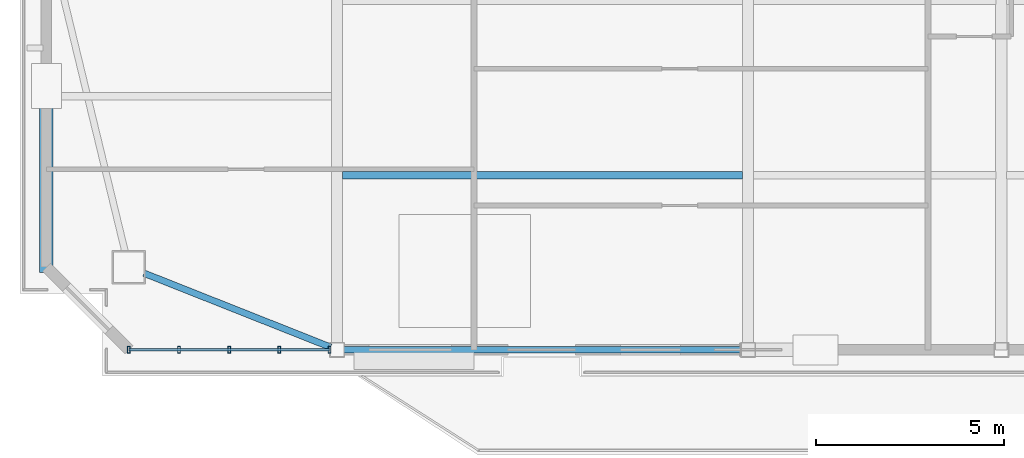
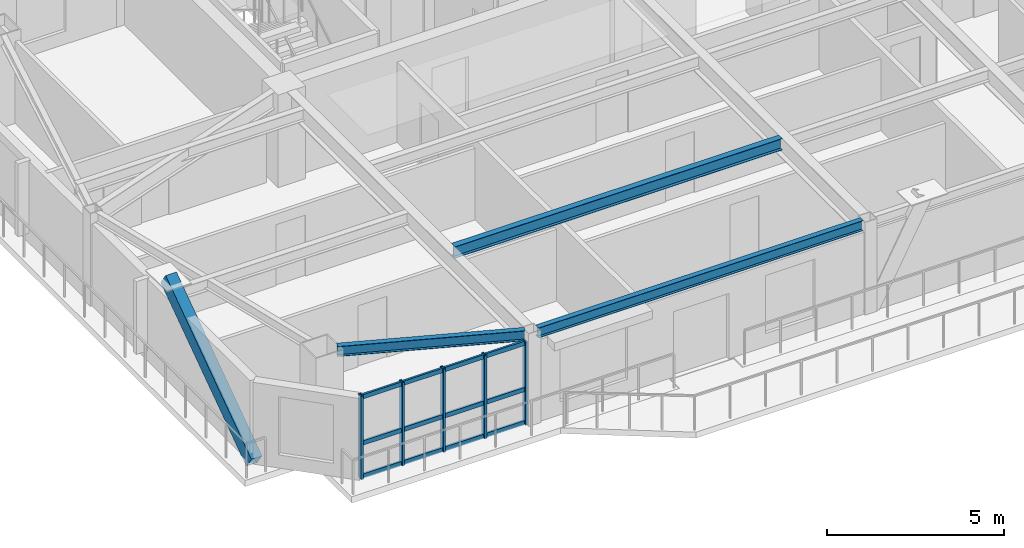
# One storey, part 2 of 12: 9 members, 3 beams, 1 element without a shape of its own.
"""IFC4 building model written with IfcOpenShell, lengths in metres."""

import ifcopenshell
import ifcopenshell.guid

model = None  # the IFC model being written
_history = None  # IfcOwnerHistory: only IFC2X3 demands one
_inside = {}  # id of a spatial element -> (the spatial element, [elements in it])
_under = {}  # id of a project, library or spatial element -> (it, [spatial elements below it])
_declared = {}  # id of a project -> (the project, [libraries it declares])
_typed = {}  # id of a type object -> (the type object, [elements of that type])
_made_of = {}  # id of a material, layer set ... -> (it, [elements and type objects made of it])


def new_model(schema):
    """Start an empty IFC model of exactly this schema.

    Asked for "IFC4X3", IfcOpenShell would pick the latest addendum, in which some entities
    have other attributes; the version numbers below select the first issue.
    IFC2X3 requires an IfcOwnerHistory on every rooted entity: one is made here for all.
    """
    global model, _history
    if schema == "IFC4X3":
        model = ifcopenshell.file(schema_version=(4, 3, 0, 0))
    else:
        model = ifcopenshell.file(schema=schema)
    _inside.clear()
    _under.clear()
    _declared.clear()
    _typed.clear()
    _made_of.clear()
    _history = None
    if model.schema == "IFC2X3":
        org = make("IfcOrganization", Name="unknown")
        user = make(
            "IfcPersonAndOrganization",
            ThePerson=make("IfcPerson", FamilyName="unknown"),
            TheOrganization=org,
        )
        app = make(
            "IfcApplication",
            ApplicationDeveloper=org,
            Version="unknown",
            ApplicationFullName="unknown",
            ApplicationIdentifier="unknown",
        )
        _history = make(
            "IfcOwnerHistory",
            OwningUser=user,
            OwningApplication=app,
            ChangeAction="ADDED",
            CreationDate=0,
        )
    return model


def make(cls, **values):
    """One entity of the class cls with the attributes given. An attribute that is None is left unset."""
    return model.create_entity(
        cls, **{name: value for name, value in values.items() if value is not None}
    )


def rooted(cls, **values):
    """An entity with a GlobalId (a new one), such as an element, a storey or a relation."""
    return make(cls, GlobalId=ifcopenshell.guid.new(), OwnerHistory=_history, **values)


def si_unit(unit_type, name, prefix=None):
    """IfcSIUnit, for example si_unit("LENGTHUNIT", "METRE", prefix="MILLI")."""
    return make("IfcSIUnit", UnitType=unit_type, Prefix=prefix, Name=name)


def assignment(units):
    """IfcUnitAssignment: the units of a project."""
    return None if units is None else make("IfcUnitAssignment", Units=units)


def point(xyz):
    """IfcCartesianPoint."""
    return None if xyz is None else make("IfcCartesianPoint", Coordinates=xyz)


def direction(xyz):
    """IfcDirection."""
    return None if xyz is None else make("IfcDirection", DirectionRatios=xyz)


def frame(location, z_axis=None, x_axis=None):
    """IfcAxis2Placement3D, a coordinate frame: its origin and axes. An axis left out is left unset."""
    return make(
        "IfcAxis2Placement3D",
        Location=point(location),
        Axis=direction(z_axis),
        RefDirection=direction(x_axis),
    )


def frame_2d(location, x_axis=None):
    """IfcAxis2Placement2D, a coordinate frame in the plane: its origin and x axis."""
    return make(
        "IfcAxis2Placement2D", Location=point(location), RefDirection=direction(x_axis)
    )


def origin():
    """The frame at (0, 0, 0) with its axes left unset."""
    return frame((0.0, 0.0, 0.0))


def origin_2d():
    """The frame at (0, 0) in the plane with its x axis left unset."""
    return frame_2d((0.0, 0.0))


def place(relative_to, where):
    """IfcLocalPlacement: puts the frame where relative to a parent placement (None: the world)."""
    return make(
        "IfcLocalPlacement", PlacementRelTo=relative_to, RelativePlacement=where
    )


def context(
    kind, dimensions, precision=None, world=None, true_north=None, identifier=None
):
    """IfcGeometricRepresentationContext, for example the 3D "Model" context."""
    return make(
        "IfcGeometricRepresentationContext",
        ContextIdentifier=identifier,
        ContextType=kind,
        CoordinateSpaceDimension=dimensions,
        Precision=precision,
        WorldCoordinateSystem=world,
        TrueNorth=true_north,
    )


def subcontext(parent, identifier, kind, view, scale=None):
    """IfcGeometricRepresentationSubContext, for example "Body" below "Model"."""
    return make(
        "IfcGeometricRepresentationSubContext",
        ContextIdentifier=identifier,
        ContextType=kind,
        ParentContext=parent,
        TargetScale=scale,
        TargetView=view,
    )


def project(units=None, contexts=None):
    """IfcProject with its units and contexts."""
    return rooted(
        "IfcProject",
        Name="project",
        RepresentationContexts=contexts,
        UnitsInContext=assignment(units),
    )


def spatial(cls, under=None, at=None, **own):
    """A site, building, storey or space (cls), placed at a placement, below another one or the project."""
    s = rooted(cls, ObjectPlacement=at, **own)
    if under is not None:
        _under.setdefault(under.id(), (under, []))[1].append(s)
    return s


def profile(cls, at=None, kind="AREA", **sizes):
    """A parametric profile (cls). Its sizes go by their IFC names, for example OverallWidth=200.0."""
    return make(cls, ProfileType=kind, Position=at, **sizes)


def hollow_rectangle(**sizes):
    """IfcRectangleHollowProfileDef."""
    return profile("IfcRectangleHollowProfileDef", **sizes)


def i_section(**sizes):
    """IfcIShapeProfileDef."""
    return profile("IfcIShapeProfileDef", **sizes)


def extrude(swept, where, along, depth):
    """IfcExtrudedAreaSolid: the profile swept, set in the frame where, extruded along a direction by depth."""
    return make(
        "IfcExtrudedAreaSolid",
        SweptArea=swept,
        Position=where,
        ExtrudedDirection=direction(along),
        Depth=depth,
    )


def shape(context_of_items, identifier, shape_type, items):
    """IfcShapeRepresentation: the items that make up one representation, for example the "Body"."""
    return make(
        "IfcShapeRepresentation",
        ContextOfItems=context_of_items,
        RepresentationIdentifier=identifier,
        RepresentationType=shape_type,
        Items=items,
    )


def source(mapping_origin, context_of_items, identifier, shape_type, items):
    """IfcRepresentationMap: a shape defined once, which mapped items show again and again."""
    return make(
        "IfcRepresentationMap",
        MappingOrigin=mapping_origin,
        MappedRepresentation=shape(context_of_items, identifier, shape_type, items),
    )


def transform(
    local_origin,
    x_axis=None,
    y_axis=None,
    z_axis=None,
    scale=None,
    scale2=None,
    scale3=None,
    uniform=True,
):
    """IfcCartesianTransformationOperator3D, or its non-uniform kind. x_axis, y_axis, z_axis: its Axis1, 2, 3."""
    if uniform:
        return make(
            "IfcCartesianTransformationOperator3D",
            Axis1=direction(x_axis),
            Axis2=direction(y_axis),
            LocalOrigin=point(local_origin),
            Scale=scale,
            Axis3=direction(z_axis),
        )
    return make(
        "IfcCartesianTransformationOperator3DnonUniform",
        Axis1=direction(x_axis),
        Axis2=direction(y_axis),
        LocalOrigin=point(local_origin),
        Scale=scale,
        Axis3=direction(z_axis),
        Scale2=scale2,
        Scale3=scale3,
    )


def mapped(mapping_source, mapping_target):
    """IfcMappedItem: shows the shape of a source again, moved by a transform."""
    return make(
        "IfcMappedItem", MappingSource=mapping_source, MappingTarget=mapping_target
    )


def material(Name=None, Category=None):
    """IfcMaterial."""
    return make("IfcMaterial", Name=Name, Category=Category)


def layer(
    of_material, thickness, ventilated=None, Name=None, Category=None, Priority=None
):
    """IfcMaterialLayer: one layer of a wall or slab, of a material (None: an air gap)."""
    return make(
        "IfcMaterialLayer",
        Material=of_material,
        LayerThickness=thickness,
        IsVentilated=ventilated,
        Name=Name,
        Category=Category,
        Priority=Priority,
    )


def layer_set(layers, Name=None):
    """IfcMaterialLayerSet."""
    return make("IfcMaterialLayerSet", MaterialLayers=layers, LayerSetName=Name)


def material_profile(
    of_material, cross_section, Name=None, Category=None, Priority=None
):
    """IfcMaterialProfile: a cross section and its material."""
    return make(
        "IfcMaterialProfile",
        Name=Name,
        Material=of_material,
        Profile=cross_section,
        Priority=Priority,
        Category=Category,
    )


def profile_set(profiles, Name=None, composite=None):
    """IfcMaterialProfileSet."""
    return make(
        "IfcMaterialProfileSet",
        Name=Name,
        MaterialProfiles=profiles,
        CompositeProfile=composite,
    )


def made_of(thing, what):
    """Note that an element or type object is made of a material, layer set ...; save() writes the relation."""
    if what is not None:
        _made_of.setdefault(what.id(), (what, []))[1].append(thing)
    return thing


def type_object(cls, material=None, **own):
    """A type object (cls), such as IfcWallType, which elements share."""
    return made_of(rooted(cls, **own), material)


def element(
    cls,
    number,
    at=None,
    inside=None,
    cuts=None,
    type_object=None,
    material=None,
    context=None,
    identifier="Body",
    shape_type=None,
    held_by="IfcProductDefinitionShape",
    body=None,
    shapes=None,
    **own,
):
    """One element of the class cls, such as IfcWall. Its Tag is "e" and its number.

    at: its placement. inside: the storey or other place that contains it. cuts: it is an
    opening in that element (IfcRelVoidsElement). A single representation is given by context,
    identifier, shape_type and body (its items); several are given by shapes. held_by: the class
    of the entity that holds the representations. save() writes the other relations.
    """
    e = rooted(cls, Tag="e%d" % number, ObjectPlacement=at, **own)
    if body is not None:
        shapes = [shape(context, identifier, shape_type, body)]
    if shapes is not None:
        e.Representation = make(held_by, Representations=shapes)
    if inside is not None:
        _inside.setdefault(inside.id(), (inside, []))[1].append(e)
    if cuts is not None:
        rooted(
            "IfcRelVoidsElement", RelatingBuildingElement=cuts, RelatedOpeningElement=e
        )
    if type_object is not None:
        _typed.setdefault(type_object.id(), (type_object, []))[1].append(e)
    return made_of(e, material)


def aggregate(whole, parts):
    """IfcRelAggregates: a whole, such as a stair, and the parts it consists of."""
    return rooted("IfcRelAggregates", RelatingObject=whole, RelatedObjects=parts)


def save(model, path):
    """Write the relations noted so far, then the file.

    IfcRelAggregates (storeys below a building ...), IfcRelContainedInSpatialStructure (elements
    in a storey), IfcRelDefinesByType, IfcRelAssociatesMaterial and IfcRelDeclares: one each for
    every whole, place, type object, material and project.
    """
    for whole, parts in _under.values():
        aggregate(whole, parts)
    for where, things in _inside.values():
        rooted(
            "IfcRelContainedInSpatialStructure",
            RelatedElements=things,
            RelatingStructure=where,
        )
    for kind, things in _typed.values():
        rooted("IfcRelDefinesByType", RelatedObjects=things, RelatingType=kind)
    for what, things in _made_of.values():
        rooted("IfcRelAssociatesMaterial", RelatedObjects=things, RelatingMaterial=what)
    for by, libraries in _declared.values():
        rooted("IfcRelDeclares", RelatingContext=by, RelatedDefinitions=libraries)
    model.write(path)


model = new_model("IFC4")

# Units and contexts
model_context = context("Model", 3, precision=1e-05, world=origin(), true_north=direction((0.0, 1.0)))
body_context = subcontext(model_context, "Body", "Model", "MODEL_VIEW")
ifc_project = project(units=[si_unit("LENGTHUNIT", "METRE"), si_unit("AREAUNIT", "SQUARE_METRE"), si_unit("VOLUMEUNIT", "CUBIC_METRE"), si_unit("PLANEANGLEUNIT", "RADIAN"), si_unit("MASSUNIT", "GRAM", prefix="KILO")], contexts=[model_context])

# Site, building, storey
site_placement = place(None, origin())
site = spatial("IfcSite", under=ifc_project, at=site_placement, CompositionType="ELEMENT")
building_placement = place(site_placement, origin())
building = spatial("IfcBuilding", under=site, at=building_placement, Name="Giltprow Tower", CompositionType="ELEMENT")
storey_placement = place(building_placement, frame((0.0, 0.0, 345.89990234375)))
storey = spatial("IfcBuildingStorey", under=building, at=storey_placement, Name="L90", CompositionType="ELEMENT", Elevation=345.89990234375)

# Beams
ifc_material_1 = material(Name="Structural steel Q355B", Category="steel")
ifc_material_profile_1 = material_profile(ifc_material_1, i_section(OverallWidth=0.199951171875, OverallDepth=0.39990234375, WebThickness=0.008056640625, FlangeThickness=0.012939453125, at=origin_2d()), Name="HN 400x200x8x13")
ifc_profile_set_1 = profile_set([ifc_material_profile_1], Name="Structural steel Q355B")
beam_type_1 = type_object("IfcBeamType", Name="BM-JOIST-HN400", PredefinedType="JOIST", material=ifc_profile_set_1)
shared_shape_1 = source(origin(), body_context, "Body", "SweptSolid", [
    extrude(i_section(OverallWidth=0.199951171875, OverallDepth=0.39990234375, WebThickness=0.008056640625, FlangeThickness=0.012939453125, at=origin_2d()), origin(), (0.0, 0.0, 1.0), 10.659912109375),
])
beam_1_placement = place(storey_placement, frame((19.9951171875, 28.14990234375, 2.985107421875), z_axis=(1.0, 0.0, 0.0), x_axis=(0.0, 1.0, 0.0)))
element("IfcBeam", 1, at=beam_1_placement, inside=storey, type_object=beam_type_1, Name="L90 Composite Floor Joist 1-1", PredefinedType="JOIST", context=body_context, shape_type="MappedRepresentation", body=[
    mapped(shared_shape_1, transform((0.0, 0.0, 0.0), x_axis=(1.0, 0.0, 0.0), y_axis=(0.0, 1.0, 0.0), z_axis=(0.0, 0.0, 1.0), scale=1.0)),
])
ifc_material_profile_2 = material_profile(ifc_material_1, i_section(OverallWidth=0.175048828125, OverallDepth=0.35009765625, WebThickness=0.007080078125, FlangeThickness=0.010986328125, at=origin_2d()), Name="HN 350x175x7x11")
ifc_profile_set_2 = profile_set([ifc_material_profile_2], Name="Structural steel Q355B")
beam_type_2 = type_object("IfcBeamType", Name="BM-SPAN-HN350", PredefinedType="SPANDREL", material=ifc_profile_set_2)
shared_shape_2 = source(origin(), body_context, "Body", "SweptSolid", [
    extrude(i_section(OverallWidth=0.175048828125, OverallDepth=0.35009765625, WebThickness=0.007080078125, FlangeThickness=0.010986328125, at=origin_2d()), origin(), (0.0, 0.0, 1.0), 10.580078125),
])
beam_2_placement = place(storey_placement, frame((20.034912109375, 23.5, 3.010009765625), z_axis=(1.0, 0.0, 0.0), x_axis=(0.0, 1.0, 0.0)))
element("IfcBeam", 2, at=beam_2_placement, inside=storey, type_object=beam_type_2, Name="L90 Perimeter Spandrel Beam S1-S2", PredefinedType="SPANDREL", context=body_context, shape_type="MappedRepresentation", body=[
    mapped(shared_shape_2, transform((0.0, 0.0, 0.0), x_axis=(1.0, 0.0, 0.0), y_axis=(0.0, 1.0, 0.0), z_axis=(0.0, 0.0, 1.0), scale=1.0)),
])
shared_shape_3 = source(origin(), body_context, "Body", "SweptSolid", [
    extrude(i_section(OverallWidth=0.175048828125, OverallDepth=0.35009765625, WebThickness=0.007080078125, FlangeThickness=0.010986328125, at=origin_2d()), origin(), (0.0, 0.0, 1.0), 5.3505859375),
])
beam_3_placement = place(storey_placement, frame((14.7041015625, 25.5400390625, 3.010009765625), z_axis=(0.929608362745, -0.368548900304, 0.0), x_axis=(0.368548900304, 0.929608362745, 0.0)))
element("IfcBeam", 3, at=beam_3_placement, inside=storey, type_object=beam_type_2, Name="L90 Perimeter Spandrel Beam MC_SW-S1", PredefinedType="SPANDREL", context=body_context, shape_type="MappedRepresentation", body=[
    mapped(shared_shape_3, transform((0.0, 0.0, 0.0), x_axis=(1.0, 0.0, 0.0), y_axis=(0.0, 1.0, 0.0), z_axis=(0.0, 0.0, 1.0), scale=1.0)),
])

# Member
ifc_material_2 = material(Name="Structural steel Q420GJC", Category="steel")
ifc_material_profile_3 = material_profile(ifc_material_2, hollow_rectangle(XDim=0.35009765625, YDim=0.5, WallThickness=0.02392578125, at=origin_2d()), Name="RHS 500x350x24")
ifc_profile_set_3 = profile_set([ifc_material_profile_3], Name="Structural steel Q420GJC")
member_type_1 = type_object("IfcMemberType", Name="MBR-MEGA-RHS500", PredefinedType="BRACE", material=ifc_profile_set_3)
shared_shape_4 = source(origin(), body_context, "Body", "SweptSolid", [
    extrude(hollow_rectangle(XDim=0.35009765625, YDim=0.5, WallThickness=0.02392578125, at=origin_2d()), origin(), (0.0, 0.0, 1.0), 5.909912109375),
])
member_1_placement = place(storey_placement, frame((12.10009765625, 25.699951171875, 0.0), z_axis=(0.0, 0.817929533426, 0.575318414749), x_axis=(-1.0, 0.0, 0.0)))
element("IfcMember", 4, at=member_1_placement, inside=storey, type_object=member_type_1, Name="L90 Chevron Mega-Brace W-D", PredefinedType="BRACE", context=body_context, shape_type="MappedRepresentation", body=[
    mapped(shared_shape_4, transform((0.0, 0.0, 0.0), x_axis=(1.0, 0.0, 0.0), y_axis=(0.0, 1.0, 0.0), z_axis=(0.0, 0.0, 1.0), scale=1.0)),
])

# Curtain wall, members
ifc_material_3 = material(Name="Anodized bronze", Category="metal")
ifc_layer = layer(ifc_material_3, 0.179931640625, Name="Anodized bronze")
ifc_layer_set = layer_set([ifc_layer], Name="Anodized bronze")
curtain_wall_type = type_object("IfcCurtainWallType", Name="CW-RES-SKY", PredefinedType="NOTDEFINED", material=ifc_layer_set)
curtain_wall_placement = place(storey_placement, origin())
curtain_wall = element("IfcCurtainWall", 5, at=curtain_wall_placement, inside=storey, type_object=curtain_wall_type, Name="L90 South Recessed Curtain Wall 1", PredefinedType="NOTDEFINED")
ifc_material_profile_4 = material_profile(ifc_material_3, hollow_rectangle(XDim=0.074951171875, YDim=0.179931640625, WallThickness=0.008056640625, at=origin_2d()), Name="RHS 180x75x8")
ifc_profile_set_4 = profile_set([ifc_material_profile_4], Name="Anodized bronze")
member_type_2 = type_object("IfcMemberType", Name="CW-MULLION-180x75", PredefinedType="MULLION", material=ifc_profile_set_4)
shared_shape_5 = source(origin(), body_context, "Body", "SweptSolid", [
    extrude(hollow_rectangle(XDim=0.074951171875, YDim=0.179931640625, WallThickness=0.008056640625, at=origin_2d()), origin(), (0.0, 0.0, 1.0), 2.8701171875),
])
member_2_placement = place(storey_placement, frame((14.300048828125, 23.5, -0.02001953125), z_axis=(0.0, 0.0, 1.0), x_axis=(1.0, 0.0, 0.0)))
member_2 = element("IfcMember", 6, at=member_2_placement, type_object=member_type_2, Name="L90 South Recessed Curtain Wall 1 Mullion 1", PredefinedType="MULLION", context=body_context, shape_type="MappedRepresentation", body=[
    mapped(shared_shape_5, transform((0.0, 0.0, 0.0), x_axis=(1.0, 0.0, 0.0), y_axis=(0.0, 1.0, 0.0), z_axis=(0.0, 0.0, 1.0), scale=1.0)),
])
member_3_placement = place(storey_placement, frame((15.636962890625, 23.5, -0.02001953125), z_axis=(0.0, 0.0, 1.0), x_axis=(1.0, 0.0, 0.0)))
member_3 = element("IfcMember", 7, at=member_3_placement, type_object=member_type_2, Name="L90 South Recessed Curtain Wall 1 Mullion 2", PredefinedType="MULLION", context=body_context, shape_type="MappedRepresentation", body=[
    mapped(shared_shape_5, transform((0.0, 0.0, 0.0), x_axis=(1.0, 0.0, 0.0), y_axis=(0.0, 1.0, 0.0), z_axis=(0.0, 0.0, 1.0), scale=1.0)),
])
member_4_placement = place(storey_placement, frame((16.97509765625, 23.5, -0.02001953125), z_axis=(0.0, 0.0, 1.0), x_axis=(1.0, 0.0, 0.0)))
member_4 = element("IfcMember", 8, at=member_4_placement, type_object=member_type_2, Name="L90 South Recessed Curtain Wall 1 Mullion 3", PredefinedType="MULLION", context=body_context, shape_type="MappedRepresentation", body=[
    mapped(shared_shape_5, transform((0.0, 0.0, 0.0), x_axis=(1.0, 0.0, 0.0), y_axis=(0.0, 1.0, 0.0), z_axis=(0.0, 0.0, 1.0), scale=1.0)),
])
member_5_placement = place(storey_placement, frame((18.31201171875, 23.5, -0.02001953125), z_axis=(0.0, 0.0, 1.0), x_axis=(1.0, 0.0, 0.0)))
member_5 = element("IfcMember", 9, at=member_5_placement, type_object=member_type_2, Name="L90 South Recessed Curtain Wall 1 Mullion 4", PredefinedType="MULLION", context=body_context, shape_type="MappedRepresentation", body=[
    mapped(shared_shape_5, transform((0.0, 0.0, 0.0), x_axis=(1.0, 0.0, 0.0), y_axis=(0.0, 1.0, 0.0), z_axis=(0.0, 0.0, 1.0), scale=1.0)),
])
member_6_placement = place(storey_placement, frame((19.64990234375, 23.5, -0.02001953125), z_axis=(0.0, 0.0, 1.0), x_axis=(1.0, 0.0, 0.0)))
member_6 = element("IfcMember", 10, at=member_6_placement, type_object=member_type_2, Name="L90 South Recessed Curtain Wall 1 Mullion 5", PredefinedType="MULLION", context=body_context, shape_type="MappedRepresentation", body=[
    mapped(shared_shape_5, transform((0.0, 0.0, 0.0), x_axis=(1.0, 0.0, 0.0), y_axis=(0.0, 1.0, 0.0), z_axis=(0.0, 0.0, 1.0), scale=1.0)),
])
ifc_material_profile_5 = material_profile(ifc_material_3, hollow_rectangle(XDim=0.06494140625, YDim=0.14990234375, WallThickness=0.006103515625, at=origin_2d()), Name="RHS 150x65x6")
ifc_profile_set_5 = profile_set([ifc_material_profile_5], Name="Anodized bronze")
member_type_3 = type_object("IfcMemberType", Name="CW-TRANSOM-150x65", PredefinedType="USERDEFINED", material=ifc_profile_set_5)
shared_shape_6 = source(origin(), body_context, "Body", "SweptSolid", [
    extrude(hollow_rectangle(XDim=0.06494140625, YDim=0.14990234375, WallThickness=0.006103515625, at=origin_2d()), origin(), (0.0, 0.0, 1.0), 5.349853515625),
])
member_7_placement = place(storey_placement, frame((14.300048828125, 23.5, 0.0400390625), z_axis=(1.0, 0.0, 0.0), x_axis=(0.0, 1.0, 0.0)))
member_7 = element("IfcMember", 11, at=member_7_placement, type_object=member_type_3, Name="L90 South Recessed Curtain Wall 1 Transom 1", ObjectType="TRANSOM", PredefinedType="USERDEFINED", context=body_context, shape_type="MappedRepresentation", body=[
    mapped(shared_shape_6, transform((0.0, 0.0, 0.0), x_axis=(1.0, 0.0, 0.0), y_axis=(0.0, 1.0, 0.0), z_axis=(0.0, 0.0, 1.0), scale=1.0)),
])
member_8_placement = place(storey_placement, frame((14.300048828125, 23.5, 1.18212890625), z_axis=(1.0, 0.0, 0.0), x_axis=(0.0, 1.0, 0.0)))
member_8 = element("IfcMember", 12, at=member_8_placement, type_object=member_type_3, Name="L90 South Recessed Curtain Wall 1 Transom 2", ObjectType="TRANSOM", PredefinedType="USERDEFINED", context=body_context, shape_type="MappedRepresentation", body=[
    mapped(shared_shape_6, transform((0.0, 0.0, 0.0), x_axis=(1.0, 0.0, 0.0), y_axis=(0.0, 1.0, 0.0), z_axis=(0.0, 0.0, 1.0), scale=1.0)),
])
member_9_placement = place(storey_placement, frame((14.300048828125, 23.5, 2.775146484375), z_axis=(1.0, 0.0, 0.0), x_axis=(0.0, 1.0, 0.0)))
member_9 = element("IfcMember", 13, at=member_9_placement, type_object=member_type_3, Name="L90 South Recessed Curtain Wall 1 Transom 3", ObjectType="TRANSOM", PredefinedType="USERDEFINED", context=body_context, shape_type="MappedRepresentation", body=[
    mapped(shared_shape_6, transform((0.0, 0.0, 0.0), x_axis=(1.0, 0.0, 0.0), y_axis=(0.0, 1.0, 0.0), z_axis=(0.0, 0.0, 1.0), scale=1.0)),
])
aggregate(curtain_wall, [member_2, member_3, member_4, member_5, member_6, member_7, member_8, member_9])

save(model, "model.ifc")
